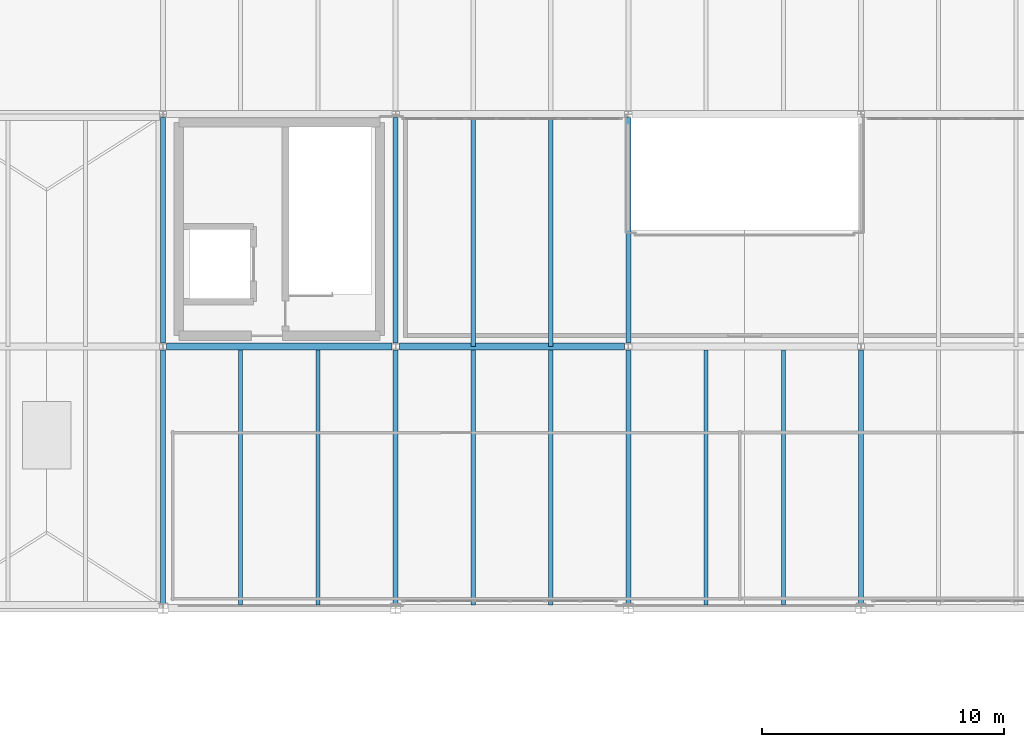
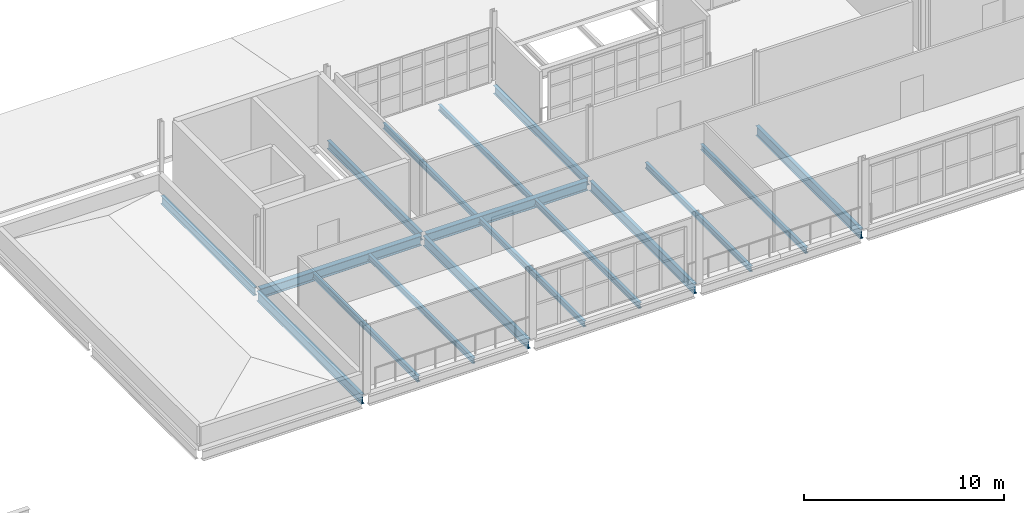
# One storey, part 23 of 58: 17 beams.
"""IFC4 building model written with IfcOpenShell, lengths in metres."""

from ifc_helpers import new_model, si_unit, direction, frame, origin, origin_2d, place, context, subcontext, project, spatial, i_section, extrude, material, material_profile, profile_set, type_object, element, save


model = new_model("IFC4")

# Units and contexts
model_context = context("Model", 3, precision=1e-05, world=origin(), true_north=direction((0.0, 1.0)))
body_context = subcontext(model_context, "Body", "Model", "MODEL_VIEW")
ifc_project = project(units=[si_unit("LENGTHUNIT", "METRE"), si_unit("AREAUNIT", "SQUARE_METRE"), si_unit("VOLUMEUNIT", "CUBIC_METRE"), si_unit("PLANEANGLEUNIT", "RADIAN"), si_unit("MASSUNIT", "GRAM", prefix="KILO")], contexts=[model_context])

# Site, building, storey
site_placement = place(None, origin())
site = spatial("IfcSite", under=ifc_project, at=site_placement, CompositionType="ELEMENT")
building_placement = place(site_placement, origin())
building = spatial("IfcBuilding", under=site, at=building_placement, Name="Yeouljin Market Hall", CompositionType="ELEMENT")
storey_placement = place(building_placement, frame((0.0, 0.0, 10.800048828125)))
storey = spatial("IfcBuildingStorey", under=building, at=storey_placement, Name="L02", CompositionType="ELEMENT", Elevation=10.800048828125)

# Beams
ifc_material_1 = material(Name="Steel SM355", Category="steel")
ifc_material_profile_1 = material_profile(ifc_material_1, i_section(OverallWidth=0.199951171875, OverallDepth=0.5, WebThickness=0.010009765625, FlangeThickness=0.01611328125, FilletRadius=0.02001953125, at=origin_2d()), Name="H-500x200x10x16")
ifc_profile_set_1 = profile_set([ifc_material_profile_1], Name="Steel SM355")
beam_type_1 = type_object("IfcBeamType", Name="Beam_H-500x200x10x16", PredefinedType="BEAM", material=ifc_profile_set_1)
for number, where, z_axis, x_axis, name in (
    (1, (64.199951171875, 88.949951171875, -0.51513671875), (0.0, 1.0, 0.0), (-1.0, 0.0, 0.0), "Primary beam BM-L02-Y108"),
    (2, (73.800048828125, 88.949951171875, -0.505126953125), (0.0, 1.0, 0.0), (-1.0, 0.0, 0.0), "Primary beam BM-L02-Y111"),
    (3, (83.39990234375, 88.949951171875, -0.505126953125), (0.0, 1.0, 0.0), (-1.0, 0.0, 0.0), "Primary beam BM-L02-Y114"),
):
    element("IfcBeam", number, at=place(storey_placement, frame(where, z_axis=z_axis, x_axis=x_axis)), inside=storey, type_object=beam_type_1, Name=name, PredefinedType="BEAM", context=body_context, shape_type="SweptSolid", body=[
        extrude(i_section(OverallWidth=0.199951171875, OverallDepth=0.5, WebThickness=0.010009765625, FlangeThickness=0.01611328125, FilletRadius=0.02001953125, at=origin_2d()), origin(), (0.0, 0.0, 1.0), 9.300048828125),
    ])
ifc_material_2 = material(Name="Steel SM355", Category="steel")
ifc_material_profile_2 = material_profile(ifc_material_2, i_section(OverallWidth=0.199951171875, OverallDepth=0.60009765625, WebThickness=0.010986328125, FlangeThickness=0.01708984375, FilletRadius=0.02197265625, at=origin_2d()), Name="H-600x200x11x17")
ifc_profile_set_2 = profile_set([ifc_material_profile_2], Name="Steel SM355")
beam_type_2 = type_object("IfcBeamType", Name="Beam_H-600x200x11x17", PredefinedType="BEAM", material=ifc_profile_set_2)
for number, where, z_axis, x_axis, name in (
    (4, (64.199951171875, 78.199951171875, -0.56494140625), (0.0, 1.0, 0.0), (-1.0, 0.0, 0.0), "Primary beam BM-L02-Y107"),
    (5, (73.800048828125, 78.199951171875, -0.554931640625), (0.0, 1.0, 0.0), (-1.0, 0.0, 0.0), "Primary beam BM-L02-Y110"),
    (6, (83.39990234375, 78.199951171875, -0.554931640625), (0.0, 1.0, 0.0), (-1.0, 0.0, 0.0), "Primary beam BM-L02-Y113"),
    (7, (93.0, 78.199951171875, -0.554931640625), (0.0, 1.0, 0.0), (-1.0, 0.0, 0.0), "Primary beam BM-L02-Y116"),
):
    element("IfcBeam", number, at=place(storey_placement, frame(where, z_axis=z_axis, x_axis=x_axis)), inside=storey, type_object=beam_type_2, Name=name, PredefinedType="BEAM", context=body_context, shape_type="SweptSolid", body=[
        extrude(i_section(OverallWidth=0.199951171875, OverallDepth=0.60009765625, WebThickness=0.010986328125, FlangeThickness=0.01708984375, FilletRadius=0.02197265625, at=origin_2d()), origin(), (0.0, 0.0, 1.0), 10.449951171875),
    ])
ifc_material_3 = material(Name="Steel SM355", Category="steel")
ifc_material_profile_3 = material_profile(ifc_material_3, i_section(OverallWidth=0.300048828125, OverallDepth=0.587890625, WebThickness=0.011962890625, FlangeThickness=0.02001953125, FilletRadius=0.02392578125, at=origin_2d()), Name="H-588x300x12x20")
ifc_profile_set_3 = profile_set([ifc_material_profile_3], Name="Steel SM355")
beam_type_3 = type_object("IfcBeamType", Name="Girder_H-588x300x12x20", PredefinedType="USERDEFINED", material=ifc_profile_set_3)
beam_1_placement = place(storey_placement, frame((64.35009765625, 88.800048828125, -0.549072265625), z_axis=(1.0, 0.0, 0.0), x_axis=(0.0, 1.0, 0.0)))
element("IfcBeam", 8, at=beam_1_placement, inside=storey, type_object=beam_type_3, Name="Primary girder GRD-L02-X058", ObjectType="GIRDER", PredefinedType="USERDEFINED", context=body_context, shape_type="SweptSolid", body=[
    extrude(i_section(OverallWidth=0.300048828125, OverallDepth=0.587890625, WebThickness=0.011962890625, FlangeThickness=0.02001953125, FilletRadius=0.02392578125, at=origin_2d()), origin(), (0.0, 0.0, 1.0), 9.2998046875),
])
beam_2_placement = place(storey_placement, frame((73.949951171875, 88.800048828125, -0.549072265625), z_axis=(1.0, 0.0, 0.0), x_axis=(0.0, 1.0, 0.0)))
element("IfcBeam", 9, at=beam_2_placement, inside=storey, type_object=beam_type_3, Name="Primary girder GRD-L02-X059", ObjectType="GIRDER", PredefinedType="USERDEFINED", context=body_context, shape_type="SweptSolid", body=[
    extrude(i_section(OverallWidth=0.300048828125, OverallDepth=0.587890625, WebThickness=0.011962890625, FlangeThickness=0.02001953125, FilletRadius=0.02392578125, at=origin_2d()), origin(), (0.0, 0.0, 1.0), 9.300048828125),
])
ifc_material_4 = material(Name="Steel SM355", Category="steel")
ifc_material_profile_4 = material_profile(ifc_material_4, i_section(OverallWidth=0.175048828125, OverallDepth=0.35009765625, WebThickness=0.007080078125, FlangeThickness=0.010986328125, FilletRadius=0.013916015625, at=origin_2d()), Name="H-350x175x7x11")
ifc_profile_set_4 = profile_set([ifc_material_profile_4], Name="Steel SM355")
beam_type_4 = type_object("IfcBeamType", Name="Joist_H-350x175x7x11", PredefinedType="JOIST", material=ifc_profile_set_4)
for number, where, z_axis, x_axis, name in (
    (10, (67.39990234375, 78.14697265625, -0.429931640625), (0.0, 1.0, 0.0), (-1.0, 0.0, 0.0), "Secondary floor joist L02-032"),
    (11, (70.60009765625, 78.14697265625, -0.429931640625), (0.0, 1.0, 0.0), (-1.0, 0.0, 0.0), "Secondary floor joist L02-033"),
    (12, (77.0, 78.14697265625, -0.429931640625), (0.0, 1.0, 0.0), (-1.0, 0.0, 0.0), "Secondary floor joist L02-036"),
    (13, (80.199951171875, 78.14697265625, -0.429931640625), (0.0, 1.0, 0.0), (-1.0, 0.0, 0.0), "Secondary floor joist L02-037"),
):
    element("IfcBeam", number, at=place(storey_placement, frame(where, z_axis=z_axis, x_axis=x_axis)), inside=storey, type_object=beam_type_4, Name=name, PredefinedType="JOIST", context=body_context, shape_type="SweptSolid", body=[
        extrude(i_section(OverallWidth=0.175048828125, OverallDepth=0.35009765625, WebThickness=0.007080078125, FlangeThickness=0.010986328125, FilletRadius=0.013916015625, at=origin_2d()), origin(), (0.0, 0.0, 1.0), 10.506103515625),
    ])
for number, where, z_axis, x_axis, name in (
    (14, (77.0, 88.805908203125, -0.47509765625), (0.0, 1.0, 0.0), (-1.0, 0.0, 0.0), "Secondary floor joist L02-038"),
    (15, (80.199951171875, 88.805908203125, -0.47509765625), (0.0, 1.0, 0.0), (-1.0, 0.0, 0.0), "Secondary floor joist L02-039"),
):
    element("IfcBeam", number, at=place(storey_placement, frame(where, z_axis=z_axis, x_axis=x_axis)), inside=storey, type_object=beam_type_4, Name=name, PredefinedType="JOIST", context=body_context, shape_type="SweptSolid", body=[
        extrude(i_section(OverallWidth=0.175048828125, OverallDepth=0.35009765625, WebThickness=0.007080078125, FlangeThickness=0.010986328125, FilletRadius=0.013916015625, at=origin_2d()), origin(), (0.0, 0.0, 1.0), 9.447021484375),
    ])
for number, where, z_axis, x_axis, name in (
    (16, (86.60009765625, 78.14697265625, -0.429931640625), (0.0, 1.0, 0.0), (-1.0, 0.0, 0.0), "Secondary floor joist L02-042"),
    (17, (89.800048828125, 78.14697265625, -0.429931640625), (0.0, 1.0, 0.0), (-1.0, 0.0, 0.0), "Secondary floor joist L02-043"),
):
    element("IfcBeam", number, at=place(storey_placement, frame(where, z_axis=z_axis, x_axis=x_axis)), inside=storey, type_object=beam_type_4, Name=name, PredefinedType="JOIST", context=body_context, shape_type="SweptSolid", body=[
        extrude(i_section(OverallWidth=0.175048828125, OverallDepth=0.35009765625, WebThickness=0.007080078125, FlangeThickness=0.010986328125, FilletRadius=0.013916015625, at=origin_2d()), origin(), (0.0, 0.0, 1.0), 10.506103515625),
    ])

save(model, "model.ifc")
